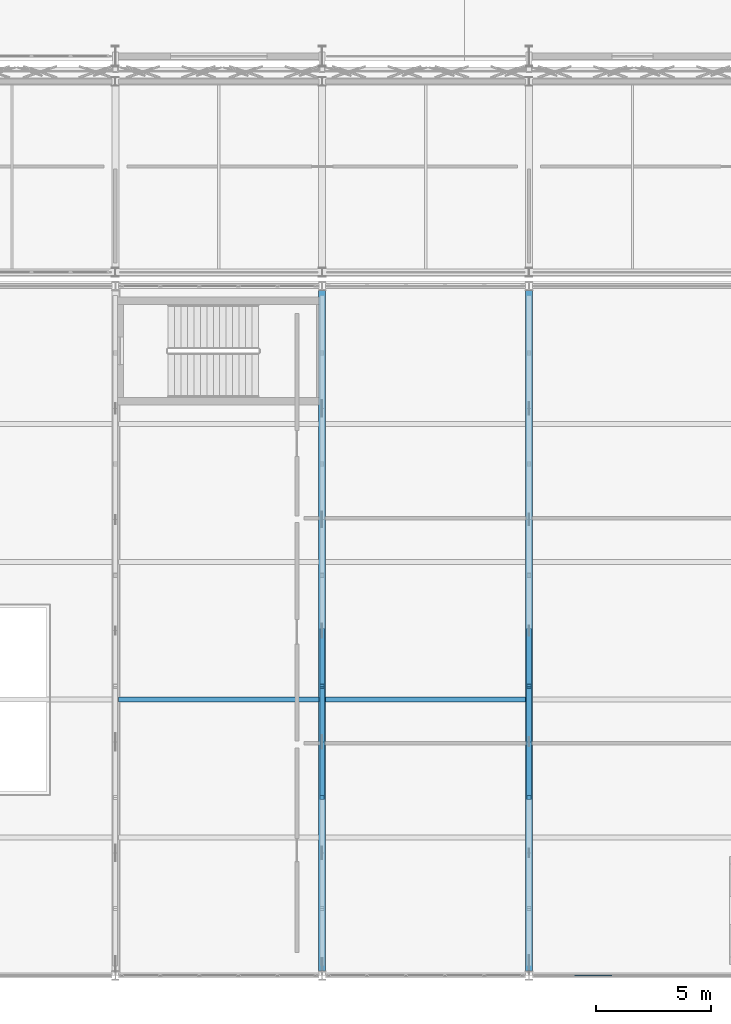
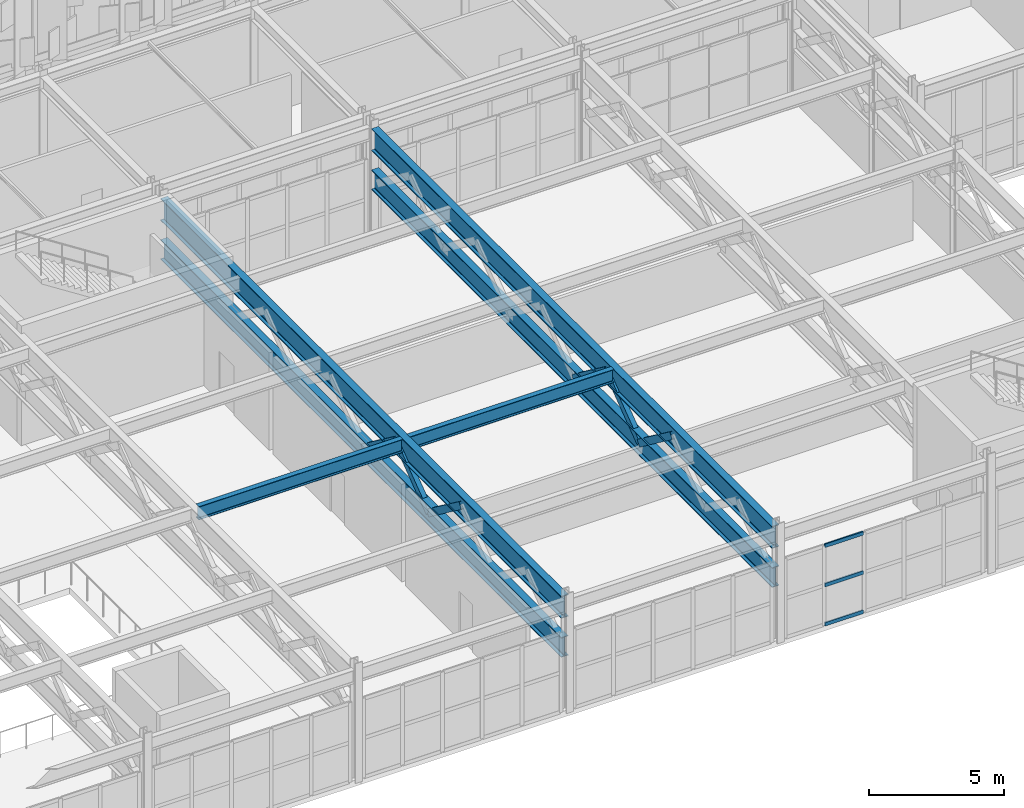
# One storey, part 38 of 210: 9 members, 6 beams, 1 element without a shape of its own.
"""IFC4 building model written with IfcOpenShell, lengths in metres."""

import ifcopenshell
import ifcopenshell.guid

model = None  # the IFC model being written
_history = None  # IfcOwnerHistory: only IFC2X3 demands one
_inside = {}  # id of a spatial element -> (the spatial element, [elements in it])
_under = {}  # id of a project, library or spatial element -> (it, [spatial elements below it])
_declared = {}  # id of a project -> (the project, [libraries it declares])
_typed = {}  # id of a type object -> (the type object, [elements of that type])
_made_of = {}  # id of a material, layer set ... -> (it, [elements and type objects made of it])


def new_model(schema):
    """Start an empty IFC model of exactly this schema.

    Asked for "IFC4X3", IfcOpenShell would pick the latest addendum, in which some entities
    have other attributes; the version numbers below select the first issue.
    IFC2X3 requires an IfcOwnerHistory on every rooted entity: one is made here for all.
    """
    global model, _history
    if schema == "IFC4X3":
        model = ifcopenshell.file(schema_version=(4, 3, 0, 0))
    else:
        model = ifcopenshell.file(schema=schema)
    _inside.clear()
    _under.clear()
    _declared.clear()
    _typed.clear()
    _made_of.clear()
    _history = None
    if model.schema == "IFC2X3":
        org = make("IfcOrganization", Name="unknown")
        user = make(
            "IfcPersonAndOrganization",
            ThePerson=make("IfcPerson", FamilyName="unknown"),
            TheOrganization=org,
        )
        app = make(
            "IfcApplication",
            ApplicationDeveloper=org,
            Version="unknown",
            ApplicationFullName="unknown",
            ApplicationIdentifier="unknown",
        )
        _history = make(
            "IfcOwnerHistory",
            OwningUser=user,
            OwningApplication=app,
            ChangeAction="ADDED",
            CreationDate=0,
        )
    return model


def make(cls, **values):
    """One entity of the class cls with the attributes given. An attribute that is None is left unset."""
    return model.create_entity(
        cls, **{name: value for name, value in values.items() if value is not None}
    )


def rooted(cls, **values):
    """An entity with a GlobalId (a new one), such as an element, a storey or a relation."""
    return make(cls, GlobalId=ifcopenshell.guid.new(), OwnerHistory=_history, **values)


def si_unit(unit_type, name, prefix=None):
    """IfcSIUnit, for example si_unit("LENGTHUNIT", "METRE", prefix="MILLI")."""
    return make("IfcSIUnit", UnitType=unit_type, Prefix=prefix, Name=name)


def assignment(units):
    """IfcUnitAssignment: the units of a project."""
    return None if units is None else make("IfcUnitAssignment", Units=units)


def point(xyz):
    """IfcCartesianPoint."""
    return None if xyz is None else make("IfcCartesianPoint", Coordinates=xyz)


def direction(xyz):
    """IfcDirection."""
    return None if xyz is None else make("IfcDirection", DirectionRatios=xyz)


def frame(location, z_axis=None, x_axis=None):
    """IfcAxis2Placement3D, a coordinate frame: its origin and axes. An axis left out is left unset."""
    return make(
        "IfcAxis2Placement3D",
        Location=point(location),
        Axis=direction(z_axis),
        RefDirection=direction(x_axis),
    )


def frame_2d(location, x_axis=None):
    """IfcAxis2Placement2D, a coordinate frame in the plane: its origin and x axis."""
    return make(
        "IfcAxis2Placement2D", Location=point(location), RefDirection=direction(x_axis)
    )


def origin():
    """The frame at (0, 0, 0) with its axes left unset."""
    return frame((0.0, 0.0, 0.0))


def origin_2d():
    """The frame at (0, 0) in the plane with its x axis left unset."""
    return frame_2d((0.0, 0.0))


def place(relative_to, where):
    """IfcLocalPlacement: puts the frame where relative to a parent placement (None: the world)."""
    return make(
        "IfcLocalPlacement", PlacementRelTo=relative_to, RelativePlacement=where
    )


def context(
    kind, dimensions, precision=None, world=None, true_north=None, identifier=None
):
    """IfcGeometricRepresentationContext, for example the 3D "Model" context."""
    return make(
        "IfcGeometricRepresentationContext",
        ContextIdentifier=identifier,
        ContextType=kind,
        CoordinateSpaceDimension=dimensions,
        Precision=precision,
        WorldCoordinateSystem=world,
        TrueNorth=true_north,
    )


def subcontext(parent, identifier, kind, view, scale=None):
    """IfcGeometricRepresentationSubContext, for example "Body" below "Model"."""
    return make(
        "IfcGeometricRepresentationSubContext",
        ContextIdentifier=identifier,
        ContextType=kind,
        ParentContext=parent,
        TargetScale=scale,
        TargetView=view,
    )


def project(units=None, contexts=None):
    """IfcProject with its units and contexts."""
    return rooted(
        "IfcProject",
        Name="project",
        RepresentationContexts=contexts,
        UnitsInContext=assignment(units),
    )


def spatial(cls, under=None, at=None, **own):
    """A site, building, storey or space (cls), placed at a placement, below another one or the project."""
    s = rooted(cls, ObjectPlacement=at, **own)
    if under is not None:
        _under.setdefault(under.id(), (under, []))[1].append(s)
    return s


def profile(cls, at=None, kind="AREA", **sizes):
    """A parametric profile (cls). Its sizes go by their IFC names, for example OverallWidth=200.0."""
    return make(cls, ProfileType=kind, Position=at, **sizes)


def hollow_rectangle(**sizes):
    """IfcRectangleHollowProfileDef."""
    return profile("IfcRectangleHollowProfileDef", **sizes)


def i_section(**sizes):
    """IfcIShapeProfileDef."""
    return profile("IfcIShapeProfileDef", **sizes)


def extrude(swept, where, along, depth):
    """IfcExtrudedAreaSolid: the profile swept, set in the frame where, extruded along a direction by depth."""
    return make(
        "IfcExtrudedAreaSolid",
        SweptArea=swept,
        Position=where,
        ExtrudedDirection=direction(along),
        Depth=depth,
    )


def shape(context_of_items, identifier, shape_type, items):
    """IfcShapeRepresentation: the items that make up one representation, for example the "Body"."""
    return make(
        "IfcShapeRepresentation",
        ContextOfItems=context_of_items,
        RepresentationIdentifier=identifier,
        RepresentationType=shape_type,
        Items=items,
    )


def material(Name=None, Category=None):
    """IfcMaterial."""
    return make("IfcMaterial", Name=Name, Category=Category)


def material_profile(
    of_material, cross_section, Name=None, Category=None, Priority=None
):
    """IfcMaterialProfile: a cross section and its material."""
    return make(
        "IfcMaterialProfile",
        Name=Name,
        Material=of_material,
        Profile=cross_section,
        Priority=Priority,
        Category=Category,
    )


def profile_set(profiles, Name=None, composite=None):
    """IfcMaterialProfileSet."""
    return make(
        "IfcMaterialProfileSet",
        Name=Name,
        MaterialProfiles=profiles,
        CompositeProfile=composite,
    )


def made_of(thing, what):
    """Note that an element or type object is made of a material, layer set ...; save() writes the relation."""
    if what is not None:
        _made_of.setdefault(what.id(), (what, []))[1].append(thing)
    return thing


def type_object(cls, material=None, **own):
    """A type object (cls), such as IfcWallType, which elements share."""
    return made_of(rooted(cls, **own), material)


def element(
    cls,
    number,
    at=None,
    inside=None,
    cuts=None,
    type_object=None,
    material=None,
    context=None,
    identifier="Body",
    shape_type=None,
    held_by="IfcProductDefinitionShape",
    body=None,
    shapes=None,
    **own,
):
    """One element of the class cls, such as IfcWall. Its Tag is "e" and its number.

    at: its placement. inside: the storey or other place that contains it. cuts: it is an
    opening in that element (IfcRelVoidsElement). A single representation is given by context,
    identifier, shape_type and body (its items); several are given by shapes. held_by: the class
    of the entity that holds the representations. save() writes the other relations.
    """
    e = rooted(cls, Tag="e%d" % number, ObjectPlacement=at, **own)
    if body is not None:
        shapes = [shape(context, identifier, shape_type, body)]
    if shapes is not None:
        e.Representation = make(held_by, Representations=shapes)
    if inside is not None:
        _inside.setdefault(inside.id(), (inside, []))[1].append(e)
    if cuts is not None:
        rooted(
            "IfcRelVoidsElement", RelatingBuildingElement=cuts, RelatedOpeningElement=e
        )
    if type_object is not None:
        _typed.setdefault(type_object.id(), (type_object, []))[1].append(e)
    return made_of(e, material)


def aggregate(whole, parts):
    """IfcRelAggregates: a whole, such as a stair, and the parts it consists of."""
    return rooted("IfcRelAggregates", RelatingObject=whole, RelatedObjects=parts)


def save(model, path):
    """Write the relations noted so far, then the file.

    IfcRelAggregates (storeys below a building ...), IfcRelContainedInSpatialStructure (elements
    in a storey), IfcRelDefinesByType, IfcRelAssociatesMaterial and IfcRelDeclares: one each for
    every whole, place, type object, material and project.
    """
    for whole, parts in _under.values():
        aggregate(whole, parts)
    for where, things in _inside.values():
        rooted(
            "IfcRelContainedInSpatialStructure",
            RelatedElements=things,
            RelatingStructure=where,
        )
    for kind, things in _typed.values():
        rooted("IfcRelDefinesByType", RelatedObjects=things, RelatingType=kind)
    for what, things in _made_of.values():
        rooted("IfcRelAssociatesMaterial", RelatedObjects=things, RelatingMaterial=what)
    for by, libraries in _declared.values():
        rooted("IfcRelDeclares", RelatingContext=by, RelatedDefinitions=libraries)
    model.write(path)


model = new_model("IFC4")

# Units and contexts
model_context = context("Model", 3, precision=1e-05, world=origin(), true_north=direction((0.0, 1.0)))
body_context = subcontext(model_context, "Body", "Model", "MODEL_VIEW")
ifc_project = project(units=[si_unit("LENGTHUNIT", "METRE"), si_unit("AREAUNIT", "SQUARE_METRE"), si_unit("VOLUMEUNIT", "CUBIC_METRE"), si_unit("PLANEANGLEUNIT", "RADIAN"), si_unit("MASSUNIT", "GRAM", prefix="KILO")], contexts=[model_context])

# Site, building, storey
site_placement = place(None, origin())
site = spatial("IfcSite", under=ifc_project, at=site_placement, CompositionType="ELEMENT")
building_placement = place(site_placement, origin())
building = spatial("IfcBuilding", under=site, at=building_placement, Name="Kaldris Quays Convention Centre", CompositionType="ELEMENT")
storey_placement = place(building_placement, frame((0.0, 0.0, 6.0)))
storey = spatial("IfcBuildingStorey", under=building, at=storey_placement, Name="L01", CompositionType="ELEMENT", Elevation=6.0)

# Curtain wall, members
ifc_material_1 = material(Name="Anodized aluminium AW-6060 and triple glazing", Category="aluminium")
curtain_wall_type = type_object("IfcCurtainWallType", Name="UNITISED CURTAIN WALL CW05", PredefinedType="NOTDEFINED", material=ifc_material_1)
curtain_wall_placement = place(storey_placement, origin())
curtain_wall = element("IfcCurtainWall", 1, at=curtain_wall_placement, inside=storey, type_object=curtain_wall_type, Name="L01 Unitised Curtain Wall CW05 69", PredefinedType="NOTDEFINED")
ifc_material_2 = material(Name="Anodized aluminium AW-6060", Category="aluminium")
ifc_material_profile_1 = material_profile(ifc_material_2, hollow_rectangle(XDim=0.06005859375, YDim=0.159912109375, WallThickness=0.00390625, at=origin_2d()), Name="RHS 160x60x4")
ifc_profile_set_1 = profile_set([ifc_material_profile_1], Name="Anodized aluminium AW-6060")
member_type_1 = type_object("IfcMemberType", Name="CURTAIN TRANSOM CWT2", PredefinedType="USERDEFINED", material=ifc_profile_set_1)
member_1_placement = place(storey_placement, frame((66.97998046875, 16.0, 0.030029296875), z_axis=(1.0, 0.0, 0.0), x_axis=(0.0, 1.0, 0.0)))
member_1 = element("IfcMember", 2, at=member_1_placement, type_object=member_type_1, Name="CW05 transom 2.1", ObjectType="TRANSOM", PredefinedType="USERDEFINED", context=body_context, shape_type="SweptSolid", body=[
    extrude(hollow_rectangle(XDim=0.06005859375, YDim=0.159912109375, WallThickness=0.00390625, at=origin_2d()), origin(), (0.0, 0.0, 1.0), 1.64013671875),
])
member_2_placement = place(storey_placement, frame((66.97998046875, 16.0, 1.800048828125), z_axis=(1.0, 0.0, 0.0), x_axis=(0.0, 1.0, 0.0)))
member_2 = element("IfcMember", 3, at=member_2_placement, type_object=member_type_1, Name="CW05 transom 2.2", ObjectType="TRANSOM", PredefinedType="USERDEFINED", context=body_context, shape_type="SweptSolid", body=[
    extrude(hollow_rectangle(XDim=0.06005859375, YDim=0.159912109375, WallThickness=0.00390625, at=origin_2d()), origin(), (0.0, 0.0, 1.0), 1.64013671875),
])
member_3_placement = place(storey_placement, frame((66.97998046875, 16.0, 3.570068359375), z_axis=(1.0, 0.0, 0.0), x_axis=(0.0, 1.0, 0.0)))
member_3 = element("IfcMember", 4, at=member_3_placement, type_object=member_type_1, Name="CW05 transom 2.3", ObjectType="TRANSOM", PredefinedType="USERDEFINED", context=body_context, shape_type="SweptSolid", body=[
    extrude(hollow_rectangle(XDim=0.06005859375, YDim=0.159912109375, WallThickness=0.00390625, at=origin_2d()), origin(), (0.0, 0.0, 1.0), 1.64013671875),
])
aggregate(curtain_wall, [member_1, member_2, member_3])

# Beams
ifc_material_3 = material(Name="Steel S460ML", Category="steel")
ifc_material_profile_2 = material_profile(ifc_material_3, i_section(OverallWidth=0.300048828125, OverallDepth=1.0, WebThickness=0.01904296875, FlangeThickness=0.035888671875, FilletRadius=0.030029296875, at=origin_2d()), Name="HEB 1000")
ifc_profile_set_2 = profile_set([ifc_material_profile_2], Name="Steel S460ML")
beam_type_1 = type_object("IfcBeamType", Name="STRUCTURAL BEAM BM01", PredefinedType="BEAM", material=ifc_profile_set_2)
for number, where, z_axis, x_axis, name in (
    (5, (56.0, 16.19140625, 4.55810546875), (0.0, 1.0, 0.0), (-1.0, 0.0, 0.0), "Transfer Truss TT05 Top Chord"),
    (6, (65.0, 16.19140625, 4.55810546875), (0.0, 1.0, 0.0), (-1.0, 0.0, 0.0), "Transfer Truss TT06 Top Chord"),
):
    element("IfcBeam", number, at=place(storey_placement, frame(where, z_axis=z_axis, x_axis=x_axis)), inside=storey, type_object=beam_type_1, Name=name, PredefinedType="BEAM", context=body_context, shape_type="SweptSolid", body=[
        extrude(i_section(OverallWidth=0.300048828125, OverallDepth=1.0, WebThickness=0.01904296875, FlangeThickness=0.035888671875, FilletRadius=0.030029296875, at=origin_2d()), origin(), (0.0, 0.0, 1.0), 29.6171875),
    ])
ifc_material_4 = material(Name="Steel S355J2", Category="steel")
ifc_material_profile_3 = material_profile(ifc_material_4, i_section(OverallWidth=0.300048828125, OverallDepth=0.89990234375, WebThickness=0.0185546875, FlangeThickness=0.034912109375, FilletRadius=0.030029296875, at=origin_2d()), Name="HEB 900")
ifc_profile_set_3 = profile_set([ifc_material_profile_3], Name="Steel S355J2")
beam_type_2 = type_object("IfcBeamType", Name="STRUCTURAL BEAM BM02", PredefinedType="BEAM", material=ifc_profile_set_3)
for number, where, z_axis, x_axis, name in (
    (7, (56.0, 16.19140625, 2.75), (0.0, 1.0, 0.0), (-1.0, 0.0, 0.0), "Transfer Truss TT05 Bottom Chord"),
    (8, (65.0, 16.19140625, 2.75), (0.0, 1.0, 0.0), (-1.0, 0.0, 0.0), "Transfer Truss TT06 Bottom Chord"),
):
    element("IfcBeam", number, at=place(storey_placement, frame(where, z_axis=z_axis, x_axis=x_axis)), inside=storey, type_object=beam_type_2, Name=name, PredefinedType="BEAM", context=body_context, shape_type="SweptSolid", body=[
        extrude(i_section(OverallWidth=0.300048828125, OverallDepth=0.89990234375, WebThickness=0.0185546875, FlangeThickness=0.034912109375, FilletRadius=0.030029296875, at=origin_2d()), origin(), (0.0, 0.0, 1.0), 29.6171875),
    ])
ifc_material_profile_4 = material_profile(ifc_material_4, i_section(OverallWidth=0.219970703125, OverallDepth=0.60009765625, WebThickness=0.011962890625, FlangeThickness=0.01904296875, FilletRadius=0.02392578125, at=origin_2d()), Name="IPE 600")
ifc_profile_set_4 = profile_set([ifc_material_profile_4], Name="Steel S355J2")
beam_type_3 = type_object("IfcBeamType", Name="STRUCTURAL BEAM BM10", PredefinedType="BEAM", material=ifc_profile_set_4)
for number, where, z_axis, x_axis, name in (
    (9, (47.14501953125, 28.0, 4.758056640625), (1.0, 0.0, 0.0), (0.0, 1.0, 0.0), "L01 Ballroom Tie Beam BM10"),
    (10, (56.14501953125, 28.0, 4.758056640625), (1.0, 0.0, 0.0), (0.0, 1.0, 0.0), "L01 Ballroom Tie Beam BM10"),
):
    element("IfcBeam", number, at=place(storey_placement, frame(where, z_axis=z_axis, x_axis=x_axis)), inside=storey, type_object=beam_type_3, Name=name, PredefinedType="BEAM", context=body_context, shape_type="SweptSolid", body=[
        extrude(i_section(OverallWidth=0.219970703125, OverallDepth=0.60009765625, WebThickness=0.011962890625, FlangeThickness=0.01904296875, FilletRadius=0.02392578125, at=origin_2d()), origin(), (0.0, 0.0, 1.0), 8.7099609375),
    ])

# Members
ifc_material_5 = material(Name="Steel S355J2H", Category="steel")
ifc_material_profile_5 = material_profile(ifc_material_5, hollow_rectangle(XDim=0.199951171875, YDim=0.300048828125, WallThickness=0.012451171875, at=origin_2d()), Name="RHS 300x200x12.5")
ifc_profile_set_5 = profile_set([ifc_material_profile_5], Name="Steel S355J2H")
member_type_2 = type_object("IfcMemberType", Name="STRUCTURAL MEMBER TTD1", PredefinedType="BRACE", material=ifc_profile_set_5)
member_4_placement = place(storey_placement, frame((56.0, 26.166748046875, 2.75), z_axis=(0.0, -0.800708018983, 0.599054812464), x_axis=(1.0, 0.0, 0.0)))
element("IfcMember", 11, at=member_4_placement, inside=storey, type_object=member_type_2, Name="Transfer Truss TT05 Diagonal 4", PredefinedType="BRACE", context=body_context, shape_type="SweptSolid", body=[
    extrude(hollow_rectangle(XDim=0.199951171875, YDim=0.300048828125, WallThickness=0.012451171875, at=origin_2d()), origin(), (0.0, 0.0, 1.0), 3.018310546875),
])
member_5_placement = place(storey_placement, frame((56.0, 26.166748046875, 2.75), z_axis=(0.0, 0.800678988238, 0.599093613548), x_axis=(-1.0, 0.0, 0.0)))
element("IfcMember", 12, at=member_5_placement, inside=storey, type_object=member_type_2, Name="Transfer Truss TT05 Diagonal 5", PredefinedType="BRACE", context=body_context, shape_type="SweptSolid", body=[
    extrude(hollow_rectangle(XDim=0.199951171875, YDim=0.300048828125, WallThickness=0.012451171875, at=origin_2d()), origin(), (0.0, 0.0, 1.0), 3.01806640625),
])
for number, where, z_axis, x_axis, name in (
    (13, (56.0, 31.0, 2.75), (0.0, -0.800708018983, 0.599054812464), (1.0, 0.0, 0.0), "Transfer Truss TT05 Diagonal 6"),
    (14, (65.0, 26.166748046875, 2.75), (0.0, -0.800708018983, 0.599054812464), (1.0, 0.0, 0.0), "Transfer Truss TT06 Diagonal 4"),
):
    element("IfcMember", number, at=place(storey_placement, frame(where, z_axis=z_axis, x_axis=x_axis)), inside=storey, type_object=member_type_2, Name=name, PredefinedType="BRACE", context=body_context, shape_type="SweptSolid", body=[
        extrude(hollow_rectangle(XDim=0.199951171875, YDim=0.300048828125, WallThickness=0.012451171875, at=origin_2d()), origin(), (0.0, 0.0, 1.0), 3.018310546875),
    ])
member_6_placement = place(storey_placement, frame((65.0, 26.166748046875, 2.75), z_axis=(0.0, 0.800678988238, 0.599093613548), x_axis=(-1.0, 0.0, 0.0)))
element("IfcMember", 15, at=member_6_placement, inside=storey, type_object=member_type_2, Name="Transfer Truss TT06 Diagonal 5", PredefinedType="BRACE", context=body_context, shape_type="SweptSolid", body=[
    extrude(hollow_rectangle(XDim=0.199951171875, YDim=0.300048828125, WallThickness=0.012451171875, at=origin_2d()), origin(), (0.0, 0.0, 1.0), 3.01806640625),
])
member_7_placement = place(storey_placement, frame((65.0, 31.0, 2.75), z_axis=(0.0, -0.800708018983, 0.599054812464), x_axis=(1.0, 0.0, 0.0)))
element("IfcMember", 16, at=member_7_placement, inside=storey, type_object=member_type_2, Name="Transfer Truss TT06 Diagonal 6", PredefinedType="BRACE", context=body_context, shape_type="SweptSolid", body=[
    extrude(hollow_rectangle(XDim=0.199951171875, YDim=0.300048828125, WallThickness=0.012451171875, at=origin_2d()), origin(), (0.0, 0.0, 1.0), 3.018310546875),
])

save(model, "model.ifc")
